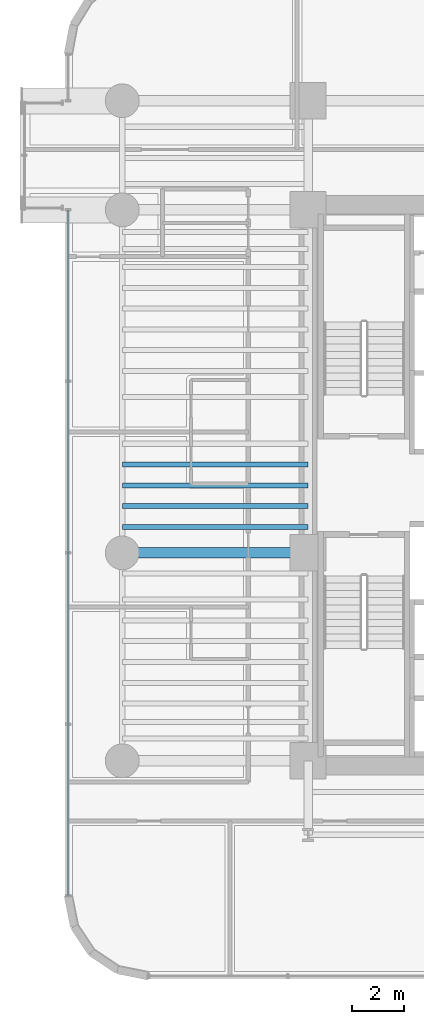
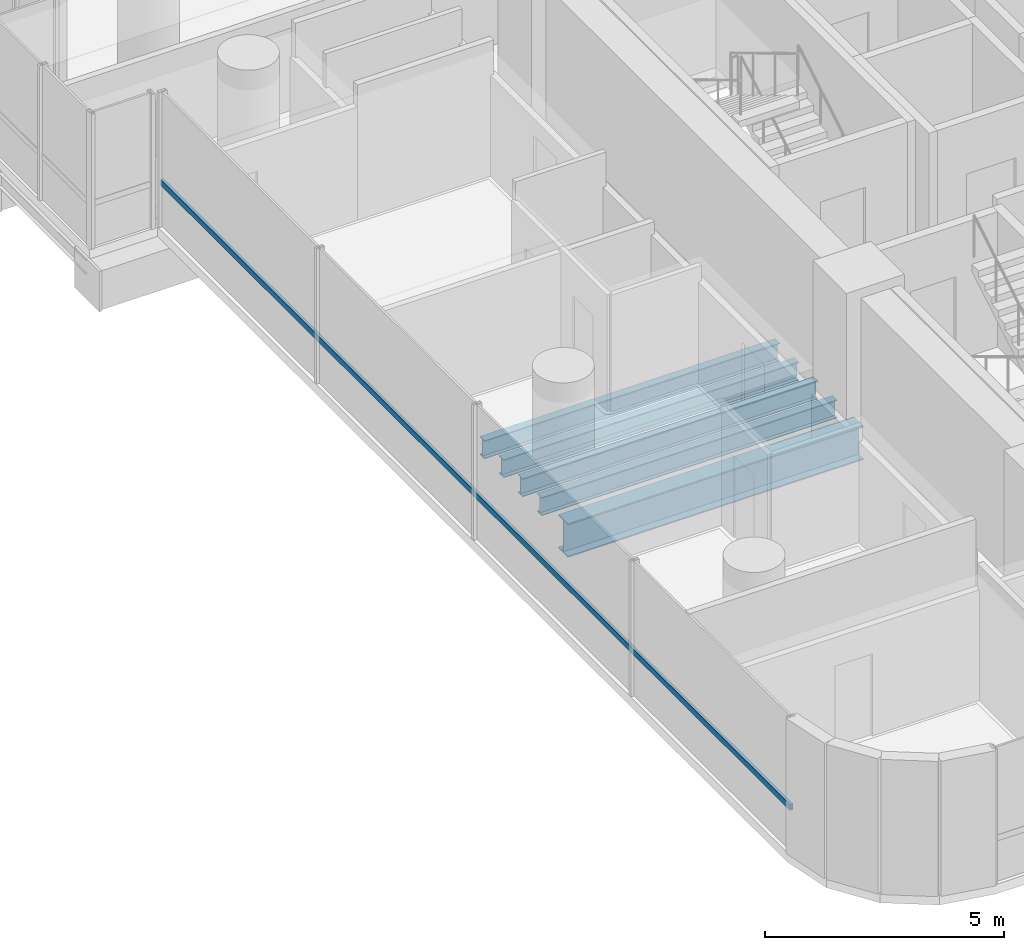
# One storey, part 9 of 41: 5 beams, 1 member, 1 element without a shape of its own.
"""IFC4 building model written with IfcOpenShell, lengths in metres."""

from ifc_helpers import new_model, si_unit, direction, frame, origin, origin_2d, place, context, subcontext, project, spatial, hollow_rectangle, i_section, extrude, source, transform, mapped, material, material_profile, profile_set, type_object, element, aggregate, save


model = new_model("IFC4")

# Units and contexts
model_context = context("Model", 3, precision=1e-05, world=origin(), true_north=direction((0.0, 1.0)))
body_context = subcontext(model_context, "Body", "Model", "MODEL_VIEW")
ifc_project = project(units=[si_unit("LENGTHUNIT", "METRE"), si_unit("AREAUNIT", "SQUARE_METRE"), si_unit("VOLUMEUNIT", "CUBIC_METRE"), si_unit("PLANEANGLEUNIT", "RADIAN"), si_unit("MASSUNIT", "GRAM", prefix="KILO")], contexts=[model_context])

# Site, building, storey
site_placement = place(None, origin())
site = spatial("IfcSite", under=ifc_project, at=site_placement, CompositionType="ELEMENT")
building_placement = place(site_placement, origin())
building = spatial("IfcBuilding", under=site, at=building_placement, Name="Valdorenza Pilgrim Sanctuary Tower", CompositionType="ELEMENT")
storey_placement = place(building_placement, frame((0.0, 0.0, 88.89990234375)))
storey = spatial("IfcBuildingStorey", under=building, at=storey_placement, Name="L22", CompositionType="ELEMENT", Elevation=88.89990234375)

# Beams
ifc_material_1 = material(Name="Steel ASTM A992 Grade 50", Category="steel")
ifc_material_profile_1 = material_profile(ifc_material_1, i_section(OverallWidth=0.193115234375, OverallDepth=0.466064453125, WebThickness=0.011474609375, FlangeThickness=0.01904296875, at=origin_2d()), Name="W18X65")
ifc_profile_set_1 = profile_set([ifc_material_profile_1], Name="Steel ASTM A992 Grade 50")
beam_type_1 = type_object("IfcBeamType", Name="STR-BM-JST-W18A", PredefinedType="JOIST", material=ifc_profile_set_1)
shared_shape_1 = source(origin(), body_context, "Body", "SweptSolid", [
    extrude(i_section(OverallWidth=0.193115234375, OverallDepth=0.466064453125, WebThickness=0.011474609375, FlangeThickness=0.01904296875, at=origin_2d()), origin(), (0.0, 0.0, 1.0), 7.150146484375),
])
for number, where, z_axis, x_axis, name in (
    (1, (-29.800048828125, -1.60009765625, -0.472900390625), (1.0, 0.0, 0.0), (0.0, 1.0, 0.0), "L22 Composite Floor Joist JST-WA-10"),
    (2, (-29.800048828125, -0.800048828125, -0.472900390625), (1.0, 0.0, 0.0), (0.0, 1.0, 0.0), "L22 Composite Floor Joist JST-WA-11"),
    (3, (-29.800048828125, 0.0, -0.472900390625), (1.0, 0.0, 0.0), (0.0, 1.0, 0.0), "L22 Composite Floor Joist JST-WA-12"),
    (4, (-29.800048828125, 0.800048828125, -0.472900390625), (1.0, 0.0, 0.0), (0.0, 1.0, 0.0), "L22 Composite Floor Joist JST-WA-13"),
):
    element("IfcBeam", number, at=place(storey_placement, frame(where, z_axis=z_axis, x_axis=x_axis)), inside=storey, type_object=beam_type_1, Name=name, PredefinedType="JOIST", context=body_context, shape_type="MappedRepresentation", body=[
        mapped(shared_shape_1, transform((0.0, 0.0, 0.0), x_axis=(1.0, 0.0, 0.0), y_axis=(0.0, 1.0, 0.0), z_axis=(0.0, 0.0, 1.0), scale=1.0)),
    ])
ifc_material_profile_2 = material_profile(ifc_material_1, i_section(OverallWidth=0.39990234375, OverallDepth=0.862060546875, WebThickness=0.019775390625, FlangeThickness=0.032470703125, at=origin_2d()), Name="W33X221")
ifc_profile_set_2 = profile_set([ifc_material_profile_2], Name="Steel ASTM A992 Grade 50")
beam_type_2 = type_object("IfcBeamType", Name="STR-BM-GRD-W33", PredefinedType="BEAM", material=ifc_profile_set_2)
shared_shape_2 = source(origin(), body_context, "Body", "SweptSolid", [
    extrude(i_section(OverallWidth=0.39990234375, OverallDepth=0.862060546875, WebThickness=0.019775390625, FlangeThickness=0.032470703125, at=origin_2d()), origin(), (0.0, 0.0, 1.0), 7.150146484375),
])
beam_placement = place(storey_placement, frame((-29.800048828125, -2.60009765625, -0.6708984375), z_axis=(1.0, 0.0, 0.0), x_axis=(0.0, 1.0, 0.0)))
element("IfcBeam", 5, at=beam_placement, inside=storey, type_object=beam_type_2, Name="L22 Floor Girder WA-XW-M0", PredefinedType="BEAM", context=body_context, shape_type="MappedRepresentation", body=[
    mapped(shared_shape_2, transform((0.0, 0.0, 0.0), x_axis=(1.0, 0.0, 0.0), y_axis=(0.0, 1.0, 0.0), z_axis=(0.0, 0.0, 1.0), scale=1.0)),
])

# Curtain wall, member
ifc_material_2 = material(Name="Curtain-wall IGU glazing", Category="glass")
curtain_wall_type = type_object("IfcCurtainWallType", Name="CW-SYS-02", PredefinedType="NOTDEFINED", material=ifc_material_2)
curtain_wall_placement = place(storey_placement, origin())
curtain_wall = element("IfcCurtainWall", 6, at=curtain_wall_placement, inside=storey, type_object=curtain_wall_type, Name="L22 Curtain Wall CW-L22-1-1S1", PredefinedType="NOTDEFINED")
ifc_material_3 = material(Name="Anodised aluminium AW-6060", Category="aluminium")
ifc_material_profile_3 = material_profile(ifc_material_3, hollow_rectangle(XDim=0.074951171875, YDim=0.14990234375, WallThickness=0.00390625, at=origin_2d()), Name="ALU-T 150x75x4")
ifc_profile_set_3 = profile_set([ifc_material_profile_3], Name="Anodised aluminium AW-6060")
member_type = type_object("IfcMemberType", Name="CW-TRN-02", PredefinedType="USERDEFINED", material=ifc_profile_set_3)
shared_shape_3 = source(origin(), body_context, "Body", "SweptSolid", [
    extrude(hollow_rectangle(XDim=0.074951171875, YDim=0.14990234375, WallThickness=0.00390625, at=origin_2d()), origin(), (0.0, 0.0, 1.0), 26.389404296875),
])
member_placement = place(storey_placement, frame((-31.889892578125, -15.789306640625, 1.1201171875), z_axis=(0.0, 1.0, 0.0), x_axis=(-1.0, 0.0, 0.0)))
member = element("IfcMember", 7, at=member_placement, type_object=member_type, Name="CW-L22-1-1S1 Transom 1", ObjectType="TRANSOM", PredefinedType="USERDEFINED", context=body_context, shape_type="MappedRepresentation", body=[
    mapped(shared_shape_3, transform((0.0, 0.0, 0.0), x_axis=(1.0, 0.0, 0.0), y_axis=(0.0, 1.0, 0.0), z_axis=(0.0, 0.0, 1.0), scale=1.0)),
])
aggregate(curtain_wall, [member])

save(model, "model.ifc")
